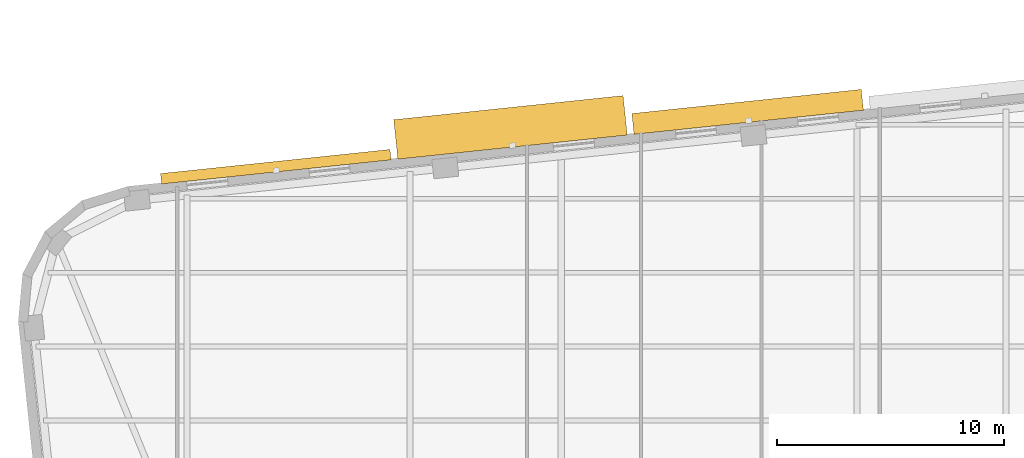
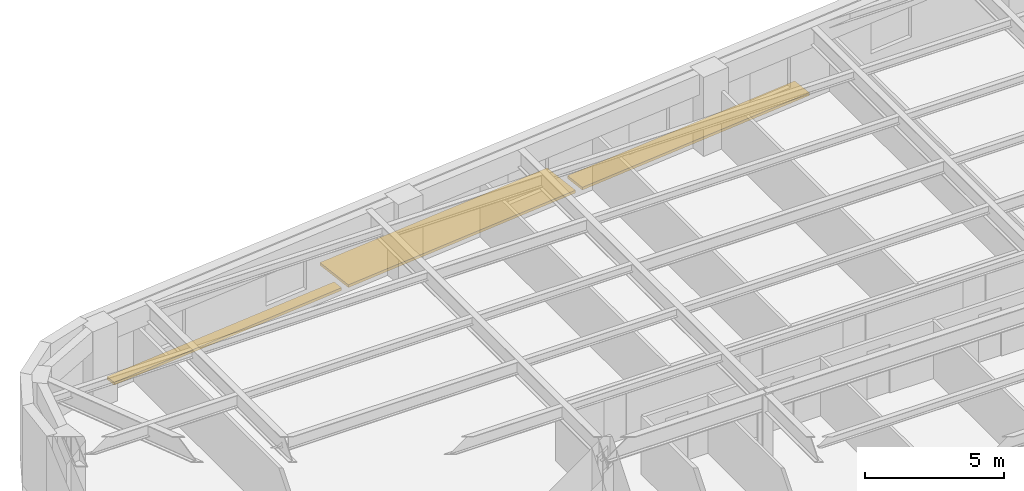
# One storey, part 12 of 13: 3 shading devices.
"""IFC4 building model written with IfcOpenShell, lengths in metres."""

from ifc_helpers import new_model, si_unit, direction, frame, origin, origin_2d, place, context, subcontext, project, spatial, rectangle, extrude, material, type_object, element, save


model = new_model("IFC4")

# Units and contexts
model_context = context("Model", 3, precision=1e-05, world=origin(), true_north=direction((0.0, 1.0)))
body_context = subcontext(model_context, "Body", "Model", "MODEL_VIEW")
ifc_project = project(units=[si_unit("LENGTHUNIT", "METRE"), si_unit("AREAUNIT", "SQUARE_METRE"), si_unit("VOLUMEUNIT", "CUBIC_METRE"), si_unit("PLANEANGLEUNIT", "RADIAN"), si_unit("MASSUNIT", "GRAM", prefix="KILO")], contexts=[model_context])

# Site, building, storey
site_placement = place(None, origin())
site = spatial("IfcSite", under=ifc_project, at=site_placement, CompositionType="ELEMENT")
building_placement = place(site_placement, origin())
building = spatial("IfcBuilding", under=site, at=building_placement, Name="Kolvaren Arena Tower", CompositionType="ELEMENT")
storey_placement = place(building_placement, frame((0.0, 0.0, 145.75)))
storey = spatial("IfcBuildingStorey", under=building, at=storey_placement, Name="L34", CompositionType="ELEMENT", Elevation=145.75)

# Shading devices
ifc_material = material(Name="Architectural precast GFRC and anodised aluminium sunshade", Category="concrete")
shading_device_type_1 = type_object("IfcShadingDeviceType", Name="SHAD-SINE-A", PredefinedType="USERDEFINED", material=ifc_material)
shading_device_1_placement = place(storey_placement, frame((18.45166015625, 51.15478515625, -0.14013671875), z_axis=(0.0, 0.0, 1.0), x_axis=(0.994522077803, 0.104526727499, 0.0)))
element("IfcShadingDevice", 1, at=shading_device_1_placement, inside=storey, type_object=shading_device_type_1, Name="Sinusoidal Slab-Edge Sunshade Louvre (L34)", ObjectType="LOUVRE", PredefinedType="USERDEFINED", context=body_context, shape_type="SweptSolid", body=[
    extrude(rectangle(XDim=10.139892578125, YDim=0.461181640625, at=origin_2d()), origin(), (0.0, 0.0, 1.0), 0.1201171875),
])
shading_device_2_placement = place(storey_placement, frame((39.193359375, 53.565185546875, -0.14013671875), z_axis=(0.0, 0.0, 1.0), x_axis=(0.994522077803, 0.104526727499, 0.0)))
element("IfcShadingDevice", 2, at=shading_device_2_placement, inside=storey, type_object=shading_device_type_1, Name="Sinusoidal Slab-Edge Sunshade Louvre (L34)", ObjectType="LOUVRE", PredefinedType="USERDEFINED", context=body_context, shape_type="SweptSolid", body=[
    extrude(rectangle(XDim=10.139892578125, YDim=0.919677734375, at=origin_2d()), origin(), (0.0, 0.0, 1.0), 0.1201171875),
])
shading_device_type_2 = type_object("IfcShadingDeviceType", Name="SHAD-SINE-B", PredefinedType="JALOUSIE", material=ifc_material)
shading_device_3_placement = place(storey_placement, frame((28.767578125, 52.8837890625, -0.14013671875), z_axis=(0.0, 0.0, 1.0), x_axis=(0.994522077803, 0.104526727499, 0.0)))
element("IfcShadingDevice", 3, at=shading_device_3_placement, inside=storey, type_object=shading_device_type_2, Name="Sinusoidal Slab-Edge Sunshade Louvre (L34)", PredefinedType="JALOUSIE", context=body_context, shape_type="SweptSolid", body=[
    extrude(rectangle(XDim=10.139892578125, YDim=1.74365234375, at=origin_2d()), origin(), (0.0, 0.0, 1.0), 0.1201171875),
])

save(model, "model.ifc")
